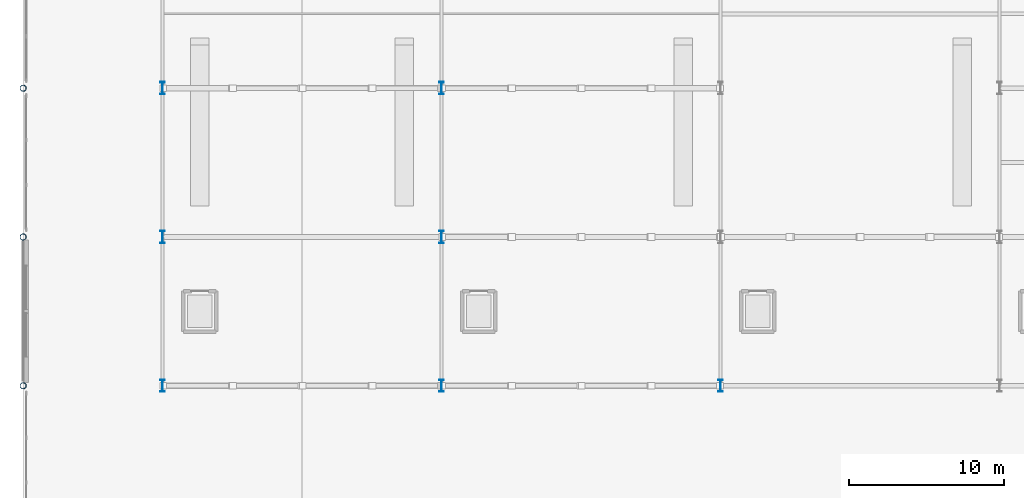
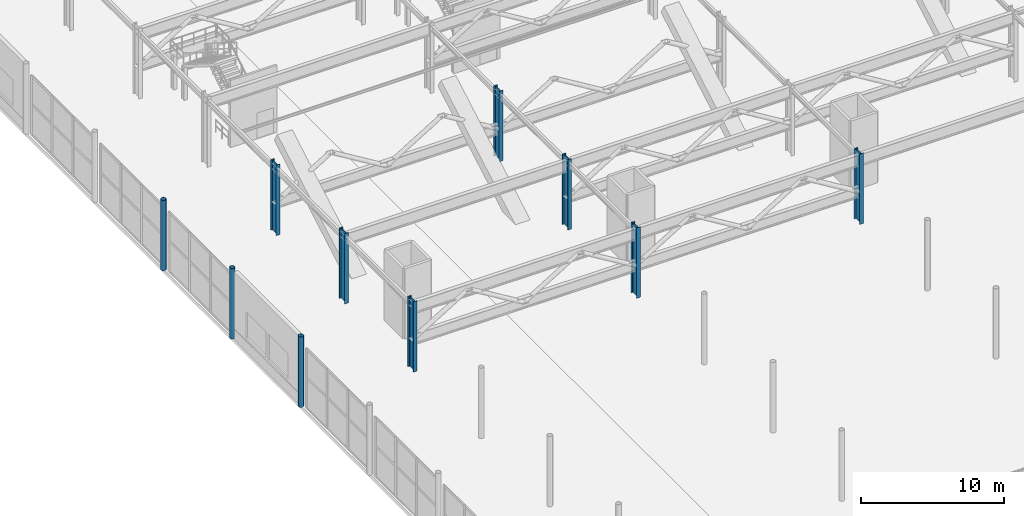
# One storey, part 4 of 113: 10 columns.
"""IFC4 building model written with IfcOpenShell, lengths in metres."""

from ifc_helpers import new_model, si_unit, direction, frame, origin, origin_2d, place, context, subcontext, project, spatial, hollow_circle, i_section, extrude, material, material_profile, profile_set, type_object, element, save


model = new_model("IFC4")

# Units and contexts
model_context = context("Model", 3, precision=1e-05, world=origin(), true_north=direction((0.0, 1.0)))
body_context = subcontext(model_context, "Body", "Model", "MODEL_VIEW")
ifc_project = project(units=[si_unit("LENGTHUNIT", "METRE"), si_unit("AREAUNIT", "SQUARE_METRE"), si_unit("VOLUMEUNIT", "CUBIC_METRE"), si_unit("PLANEANGLEUNIT", "RADIAN"), si_unit("MASSUNIT", "GRAM", prefix="KILO")], contexts=[model_context])

# Site, building, storey
site_placement = place(None, origin())
site = spatial("IfcSite", under=ifc_project, at=site_placement, CompositionType="ELEMENT")
building_placement = place(site_placement, origin())
building = spatial("IfcBuilding", under=site, at=building_placement, Name="Myrtia Square Station", CompositionType="ELEMENT")
storey_placement = place(building_placement, origin())
storey = spatial("IfcBuildingStorey", under=building, at=storey_placement, Name="L00", CompositionType="ELEMENT", Elevation=0.0)

# Columns
ifc_material = material(Name="Steel S355", Category="steel")
ifc_material_profile_1 = material_profile(ifc_material, hollow_circle(Radius=0.203125, WallThickness=0.02001953125, at=origin_2d()), Name="CHS 406.4x20")
ifc_profile_set_1 = profile_set([ifc_material_profile_1], Name="Steel S355")
column_type_1 = type_object("IfcColumnType", Name="COL-CHS406", PredefinedType="COLUMN", material=ifc_profile_set_1)
for number, where, z_axis, x_axis, name in (
    (1, (0.0, 38.39990234375, 0.0), (0.0, 0.0, 1.0), (1.0, 0.0, 0.0), "Column L00-0011"),
    (2, (0.0, 48.0, 0.0), (0.0, 0.0, 1.0), (1.0, 0.0, 0.0), "Column L00-0014"),
    (3, (0.0, 57.60009765625, 0.0), (0.0, 0.0, 1.0), (1.0, 0.0, 0.0), "Column L00-0017"),
):
    element("IfcColumn", number, at=place(storey_placement, frame(where, z_axis=z_axis, x_axis=x_axis)), inside=storey, type_object=column_type_1, Name=name, PredefinedType="COLUMN", context=body_context, shape_type="SweptSolid", body=[
        extrude(hollow_circle(Radius=0.203125, WallThickness=0.02001953125, at=origin_2d()), origin(), (0.0, 0.0, 1.0), 6.0),
    ])
ifc_material_profile_2 = material_profile(ifc_material, i_section(OverallWidth=0.300048828125, OverallDepth=0.800048828125, WebThickness=0.017578125, FlangeThickness=0.032958984375, FilletRadius=0.030029296875, at=origin_2d()), Name="HEB 800")
ifc_profile_set_2 = profile_set([ifc_material_profile_2], Name="Steel S355")
column_type_2 = type_object("IfcColumnType", Name="COL-HEB800", PredefinedType="COLUMN", material=ifc_profile_set_2)
for number, where, z_axis, x_axis, name in (
    (4, (9.0, 38.39990234375, 0.0), (0.0, 0.0, 1.0), (1.0, 0.0, 0.0), "Column L00-0047"),
    (5, (9.0, 48.0, 0.0), (0.0, 0.0, 1.0), (1.0, 0.0, 0.0), "Column L00-0050"),
    (6, (9.0, 57.60009765625, 0.0), (0.0, 0.0, 1.0), (1.0, 0.0, 0.0), "Column L00-0053"),
    (7, (27.0, 38.39990234375, 0.0), (0.0, 0.0, 1.0), (1.0, 0.0, 0.0), "Column L00-0086"),
    (8, (27.0, 48.0, 0.0), (0.0, 0.0, 1.0), (1.0, 0.0, 0.0), "Column L00-0089"),
    (9, (27.0, 57.60009765625, 0.0), (0.0, 0.0, 1.0), (1.0, 0.0, 0.0), "Column L00-0092"),
    (10, (45.0, 38.39990234375, 0.0), (0.0, 0.0, 1.0), (1.0, 0.0, 0.0), "Column L00-0128"),
):
    element("IfcColumn", number, at=place(storey_placement, frame(where, z_axis=z_axis, x_axis=x_axis)), inside=storey, type_object=column_type_2, Name=name, PredefinedType="COLUMN", context=body_context, shape_type="SweptSolid", body=[
        extrude(i_section(OverallWidth=0.300048828125, OverallDepth=0.800048828125, WebThickness=0.017578125, FlangeThickness=0.032958984375, FilletRadius=0.030029296875, at=origin_2d()), origin(), (0.0, 0.0, 1.0), 6.0),
    ])

save(model, "model.ifc")
